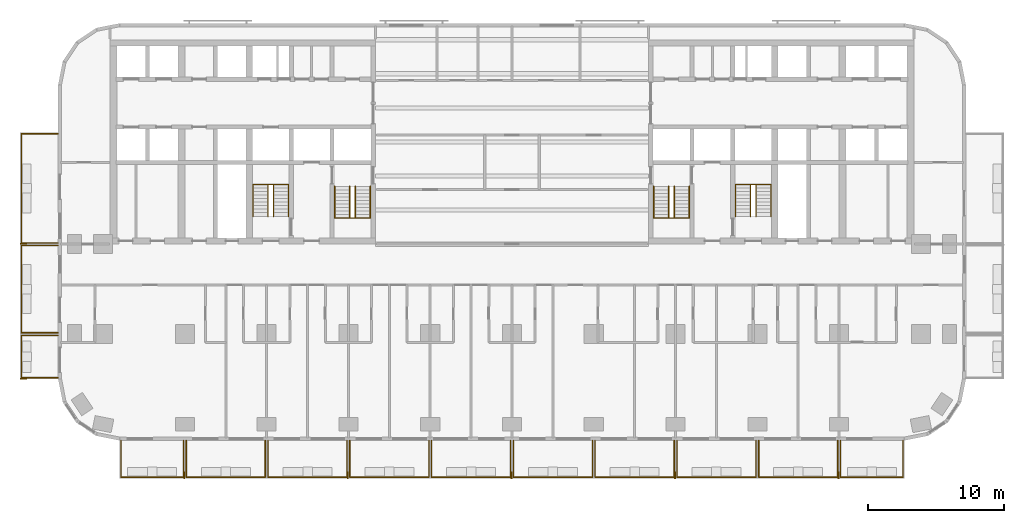
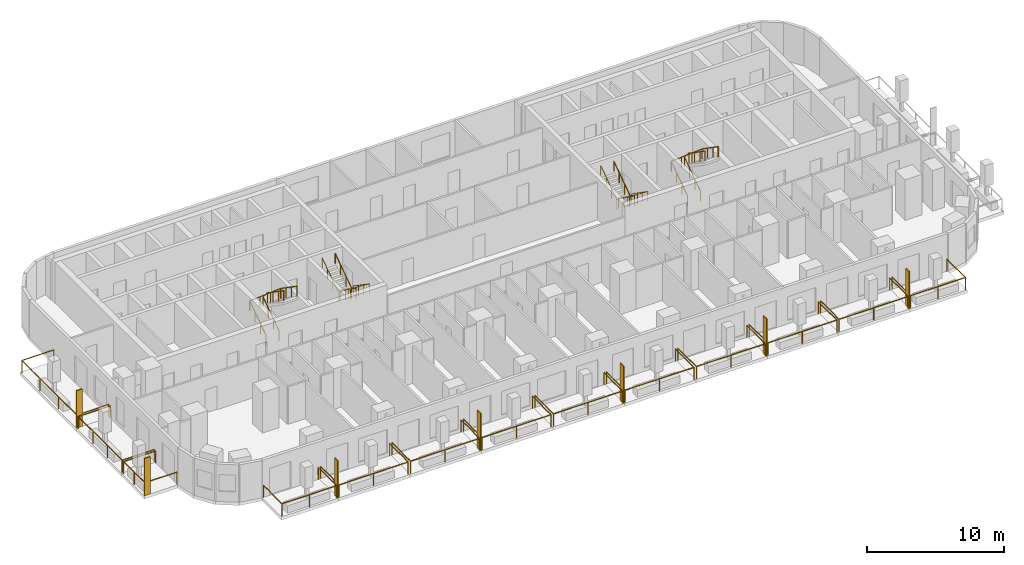
# One storey, part 12 of 14: 21 railings, 7 shading devices.
"""IFC4 building model written with IfcOpenShell, lengths in metres."""

import ifcopenshell
import ifcopenshell.guid

model = None  # the IFC model being written
_history = None  # IfcOwnerHistory: only IFC2X3 demands one
_inside = {}  # id of a spatial element -> (the spatial element, [elements in it])
_under = {}  # id of a project, library or spatial element -> (it, [spatial elements below it])
_declared = {}  # id of a project -> (the project, [libraries it declares])
_typed = {}  # id of a type object -> (the type object, [elements of that type])
_made_of = {}  # id of a material, layer set ... -> (it, [elements and type objects made of it])


def new_model(schema):
    """Start an empty IFC model of exactly this schema.

    Asked for "IFC4X3", IfcOpenShell would pick the latest addendum, in which some entities
    have other attributes; the version numbers below select the first issue.
    IFC2X3 requires an IfcOwnerHistory on every rooted entity: one is made here for all.
    """
    global model, _history
    if schema == "IFC4X3":
        model = ifcopenshell.file(schema_version=(4, 3, 0, 0))
    else:
        model = ifcopenshell.file(schema=schema)
    _inside.clear()
    _under.clear()
    _declared.clear()
    _typed.clear()
    _made_of.clear()
    _history = None
    if model.schema == "IFC2X3":
        org = make("IfcOrganization", Name="unknown")
        user = make(
            "IfcPersonAndOrganization",
            ThePerson=make("IfcPerson", FamilyName="unknown"),
            TheOrganization=org,
        )
        app = make(
            "IfcApplication",
            ApplicationDeveloper=org,
            Version="unknown",
            ApplicationFullName="unknown",
            ApplicationIdentifier="unknown",
        )
        _history = make(
            "IfcOwnerHistory",
            OwningUser=user,
            OwningApplication=app,
            ChangeAction="ADDED",
            CreationDate=0,
        )
    return model


def make(cls, **values):
    """One entity of the class cls with the attributes given. An attribute that is None is left unset."""
    return model.create_entity(
        cls, **{name: value for name, value in values.items() if value is not None}
    )


def rooted(cls, **values):
    """An entity with a GlobalId (a new one), such as an element, a storey or a relation."""
    return make(cls, GlobalId=ifcopenshell.guid.new(), OwnerHistory=_history, **values)


def si_unit(unit_type, name, prefix=None):
    """IfcSIUnit, for example si_unit("LENGTHUNIT", "METRE", prefix="MILLI")."""
    return make("IfcSIUnit", UnitType=unit_type, Prefix=prefix, Name=name)


def assignment(units):
    """IfcUnitAssignment: the units of a project."""
    return None if units is None else make("IfcUnitAssignment", Units=units)


def point(xyz):
    """IfcCartesianPoint."""
    return None if xyz is None else make("IfcCartesianPoint", Coordinates=xyz)


def direction(xyz):
    """IfcDirection."""
    return None if xyz is None else make("IfcDirection", DirectionRatios=xyz)


def frame(location, z_axis=None, x_axis=None):
    """IfcAxis2Placement3D, a coordinate frame: its origin and axes. An axis left out is left unset."""
    return make(
        "IfcAxis2Placement3D",
        Location=point(location),
        Axis=direction(z_axis),
        RefDirection=direction(x_axis),
    )


def frame_2d(location, x_axis=None):
    """IfcAxis2Placement2D, a coordinate frame in the plane: its origin and x axis."""
    return make(
        "IfcAxis2Placement2D", Location=point(location), RefDirection=direction(x_axis)
    )


def origin():
    """The frame at (0, 0, 0) with its axes left unset."""
    return frame((0.0, 0.0, 0.0))


def origin_2d():
    """The frame at (0, 0) in the plane with its x axis left unset."""
    return frame_2d((0.0, 0.0))


def place(relative_to, where):
    """IfcLocalPlacement: puts the frame where relative to a parent placement (None: the world)."""
    return make(
        "IfcLocalPlacement", PlacementRelTo=relative_to, RelativePlacement=where
    )


def context(
    kind, dimensions, precision=None, world=None, true_north=None, identifier=None
):
    """IfcGeometricRepresentationContext, for example the 3D "Model" context."""
    return make(
        "IfcGeometricRepresentationContext",
        ContextIdentifier=identifier,
        ContextType=kind,
        CoordinateSpaceDimension=dimensions,
        Precision=precision,
        WorldCoordinateSystem=world,
        TrueNorth=true_north,
    )


def subcontext(parent, identifier, kind, view, scale=None):
    """IfcGeometricRepresentationSubContext, for example "Body" below "Model"."""
    return make(
        "IfcGeometricRepresentationSubContext",
        ContextIdentifier=identifier,
        ContextType=kind,
        ParentContext=parent,
        TargetScale=scale,
        TargetView=view,
    )


def project(units=None, contexts=None):
    """IfcProject with its units and contexts."""
    return rooted(
        "IfcProject",
        Name="project",
        RepresentationContexts=contexts,
        UnitsInContext=assignment(units),
    )


def spatial(cls, under=None, at=None, **own):
    """A site, building, storey or space (cls), placed at a placement, below another one or the project."""
    s = rooted(cls, ObjectPlacement=at, **own)
    if under is not None:
        _under.setdefault(under.id(), (under, []))[1].append(s)
    return s


def profile(cls, at=None, kind="AREA", **sizes):
    """A parametric profile (cls). Its sizes go by their IFC names, for example OverallWidth=200.0."""
    return make(cls, ProfileType=kind, Position=at, **sizes)


def rectangle(**sizes):
    """IfcRectangleProfileDef."""
    return profile("IfcRectangleProfileDef", **sizes)


def circle(**sizes):
    """IfcCircleProfileDef."""
    return profile("IfcCircleProfileDef", **sizes)


def extrude(swept, where, along, depth):
    """IfcExtrudedAreaSolid: the profile swept, set in the frame where, extruded along a direction by depth."""
    return make(
        "IfcExtrudedAreaSolid",
        SweptArea=swept,
        Position=where,
        ExtrudedDirection=direction(along),
        Depth=depth,
    )


def shape(context_of_items, identifier, shape_type, items):
    """IfcShapeRepresentation: the items that make up one representation, for example the "Body"."""
    return make(
        "IfcShapeRepresentation",
        ContextOfItems=context_of_items,
        RepresentationIdentifier=identifier,
        RepresentationType=shape_type,
        Items=items,
    )


def material(Name=None, Category=None):
    """IfcMaterial."""
    return make("IfcMaterial", Name=Name, Category=Category)


def layer(
    of_material, thickness, ventilated=None, Name=None, Category=None, Priority=None
):
    """IfcMaterialLayer: one layer of a wall or slab, of a material (None: an air gap)."""
    return make(
        "IfcMaterialLayer",
        Material=of_material,
        LayerThickness=thickness,
        IsVentilated=ventilated,
        Name=Name,
        Category=Category,
        Priority=Priority,
    )


def layer_set(layers, Name=None):
    """IfcMaterialLayerSet."""
    return make("IfcMaterialLayerSet", MaterialLayers=layers, LayerSetName=Name)


def made_of(thing, what):
    """Note that an element or type object is made of a material, layer set ...; save() writes the relation."""
    if what is not None:
        _made_of.setdefault(what.id(), (what, []))[1].append(thing)
    return thing


def type_object(cls, material=None, **own):
    """A type object (cls), such as IfcWallType, which elements share."""
    return made_of(rooted(cls, **own), material)


def element(
    cls,
    number,
    at=None,
    inside=None,
    cuts=None,
    type_object=None,
    material=None,
    context=None,
    identifier="Body",
    shape_type=None,
    held_by="IfcProductDefinitionShape",
    body=None,
    shapes=None,
    **own,
):
    """One element of the class cls, such as IfcWall. Its Tag is "e" and its number.

    at: its placement. inside: the storey or other place that contains it. cuts: it is an
    opening in that element (IfcRelVoidsElement). A single representation is given by context,
    identifier, shape_type and body (its items); several are given by shapes. held_by: the class
    of the entity that holds the representations. save() writes the other relations.
    """
    e = rooted(cls, Tag="e%d" % number, ObjectPlacement=at, **own)
    if body is not None:
        shapes = [shape(context, identifier, shape_type, body)]
    if shapes is not None:
        e.Representation = make(held_by, Representations=shapes)
    if inside is not None:
        _inside.setdefault(inside.id(), (inside, []))[1].append(e)
    if cuts is not None:
        rooted(
            "IfcRelVoidsElement", RelatingBuildingElement=cuts, RelatedOpeningElement=e
        )
    if type_object is not None:
        _typed.setdefault(type_object.id(), (type_object, []))[1].append(e)
    return made_of(e, material)


def aggregate(whole, parts):
    """IfcRelAggregates: a whole, such as a stair, and the parts it consists of."""
    return rooted("IfcRelAggregates", RelatingObject=whole, RelatedObjects=parts)


def save(model, path):
    """Write the relations noted so far, then the file.

    IfcRelAggregates (storeys below a building ...), IfcRelContainedInSpatialStructure (elements
    in a storey), IfcRelDefinesByType, IfcRelAssociatesMaterial and IfcRelDeclares: one each for
    every whole, place, type object, material and project.
    """
    for whole, parts in _under.values():
        aggregate(whole, parts)
    for where, things in _inside.values():
        rooted(
            "IfcRelContainedInSpatialStructure",
            RelatedElements=things,
            RelatingStructure=where,
        )
    for kind, things in _typed.values():
        rooted("IfcRelDefinesByType", RelatedObjects=things, RelatingType=kind)
    for what, things in _made_of.values():
        rooted("IfcRelAssociatesMaterial", RelatedObjects=things, RelatingMaterial=what)
    for by, libraries in _declared.values():
        rooted("IfcRelDeclares", RelatingContext=by, RelatedDefinitions=libraries)
    model.write(path)


model = new_model("IFC4")

# Units and contexts
model_context = context("Model", 3, precision=1e-05, world=origin(), true_north=direction((0.0, 1.0)))
body_context = subcontext(model_context, "Body", "Model", "MODEL_VIEW")
ifc_project = project(units=[si_unit("LENGTHUNIT", "METRE"), si_unit("AREAUNIT", "SQUARE_METRE"), si_unit("VOLUMEUNIT", "CUBIC_METRE"), si_unit("PLANEANGLEUNIT", "RADIAN"), si_unit("MASSUNIT", "GRAM", prefix="KILO")], contexts=[model_context])

# Site, building, storey
site_placement = place(None, origin())
site = spatial("IfcSite", under=ifc_project, at=site_placement, CompositionType="ELEMENT")
building_placement = place(site_placement, origin())
building = spatial("IfcBuilding", under=site, at=building_placement, Name="Torana Hotel and Residences", CompositionType="ELEMENT")
storey_placement = place(building_placement, frame((0.0, 0.0, 34.800048828125)))
storey = spatial("IfcBuildingStorey", under=building, at=storey_placement, Name="L07", CompositionType="ELEMENT", Elevation=34.800048828125)

# Shading devices
ifc_material_1 = material(Name="Black powder coated aluminium", Category="aluminium")
ifc_layer = layer(ifc_material_1, 0.080078125)
ifc_layer_set = layer_set([ifc_layer], Name="FN1 VERTICAL FIN 500x80")
shading_device_type = type_object("IfcShadingDeviceType", Name="FN1 VERTICAL FIN 500x80", PredefinedType="USERDEFINED", material=ifc_layer_set)
for number, where, z_axis, x_axis, name in (
    (1, (-24.0400390625, -31.949951171875, 0.0), (0.0, 0.0, 1.0), (-1.0, 0.0, 0.0), "Fin 01"),
    (2, (-12.0400390625, -31.949951171875, 0.0), (0.0, 0.0, 1.0), (-1.0, 0.0, 0.0), "Fin 03"),
    (3, (-0.0400390625, -31.949951171875, 0.0), (0.0, 0.0, 1.0), (-1.0, 0.0, 0.0), "Fin 05"),
    (4, (11.9599609375, -31.949951171875, 0.0), (0.0, 0.0, 1.0), (-1.0, 0.0, 0.0), "Fin 07"),
    (5, (23.9599609375, -31.949951171875, 0.0), (0.0, 0.0, 1.0), (-1.0, 0.0, 0.0), "Fin 09"),
    (6, (-35.85009765625, -24.860107421875, 0.0), (0.0, 0.0, 1.0), (0.0, 1.0, 0.0), "Fin 11"),
    (7, (-35.85009765625, -14.9599609375, 0.0), (0.0, 0.0, 1.0), (0.0, 1.0, 0.0), "Fin 13"),
):
    element("IfcShadingDevice", number, at=place(storey_placement, frame(where, z_axis=z_axis, x_axis=x_axis)), inside=storey, type_object=shading_device_type, Name=name, ObjectType="FIN", PredefinedType="USERDEFINED", context=body_context, shape_type="SweptSolid", body=[
        extrude(rectangle(XDim=0.080078125, YDim=0.5, at=origin_2d()), origin(), (0.0, 0.0, 1.0), 3.320068359375),
    ])

# Railings
ifc_material_2 = material(Name="Laminated glass balustrade with black handrail", Category="glass")
railing_type_1 = type_object("IfcRailingType", Name="GR1 BALCONY GUARD 1100 GLASS", PredefinedType="GUARDRAIL", material=ifc_material_2)
railing_1_placement = place(storey_placement, frame((-24.10009765625, -29.39990234375, 0.0)))
element("IfcRailing", 8, at=railing_1_placement, inside=storey, type_object=railing_type_1, Name="Balcony guard 01", PredefinedType="GUARDRAIL", context=body_context, shape_type="SweptSolid", body=[
    extrude(circle(Radius=0.02392578125, at=origin_2d()), frame((0.0, 0.0, 1.076171875), z_axis=(0.0, -1.0, 0.0), x_axis=(1.0, 0.0, 0.0)), (0.0, 0.0, 1.0), 2.7001953125),
    extrude(circle(Radius=0.02392578125, at=origin_2d()), frame((0.0, -2.7001953125, 1.076171875), z_axis=(-1.0, 0.0, 0.0), x_axis=(0.0, -1.0, 0.0)), (0.0, 0.0, 1.0), 4.599853515625),
    extrude(circle(Radius=0.02392578125, at=origin_2d()), frame((-4.599853515625, -2.7001953125, 1.076171875), z_axis=(0.0, 1.0, 0.0), x_axis=(-1.0, 0.0, 0.0)), (0.0, 0.0, 1.0), 2.7001953125),
    extrude(circle(Radius=0.02099609375, at=origin_2d()), origin(), (0.0, 0.0, 1.0), 1.052001953125),
    extrude(circle(Radius=0.02099609375, at=origin_2d()), frame((0.0, -2.7001953125, 0.0)), (0.0, 0.0, 1.0), 1.052001953125),
    extrude(circle(Radius=0.02099609375, at=origin_2d()), frame((-2.2998046875, -2.7001953125, 0.0)), (0.0, 0.0, 1.0), 1.052001953125),
    extrude(circle(Radius=0.02099609375, at=origin_2d()), frame((-4.599853515625, -2.7001953125, 0.0)), (0.0, 0.0, 1.0), 1.052001953125),
    extrude(circle(Radius=0.02099609375, at=origin_2d()), frame((-4.599853515625, 0.0, 0.0)), (0.0, 0.0, 1.0), 1.052001953125),
])
for number, where, name in (
    (9, (-18.10009765625, -29.39990234375, 0.0), "Balcony guard 02"),
    (10, (-12.10009765625, -29.39990234375, 0.0), "Balcony guard 03"),
    (11, (-6.10009765625, -29.39990234375, 0.0), "Balcony guard 04"),
    (12, (-0.10009765625, -29.39990234375, 0.0), "Balcony guard 05"),
    (13, (5.89990234375, -29.39990234375, 0.0), "Balcony guard 06"),
    (14, (11.89990234375, -29.39990234375, 0.0), "Balcony guard 07"),
    (15, (17.89990234375, -29.39990234375, 0.0), "Balcony guard 08"),
    (16, (23.89990234375, -29.39990234375, 0.0), "Balcony guard 09"),
):
    element("IfcRailing", number, at=place(storey_placement, frame(where)), inside=storey, type_object=railing_type_1, Name=name, PredefinedType="GUARDRAIL", context=body_context, shape_type="SweptSolid", body=[
        extrude(circle(Radius=0.02392578125, at=origin_2d()), frame((0.0, 0.0, 1.076171875), z_axis=(0.0, -1.0, 0.0), x_axis=(1.0, 0.0, 0.0)), (0.0, 0.0, 1.0), 2.7001953125),
        extrude(circle(Radius=0.02392578125, at=origin_2d()), frame((0.0, -2.7001953125, 1.076171875), z_axis=(-1.0, 0.0, 0.0), x_axis=(0.0, -1.0, 0.0)), (0.0, 0.0, 1.0), 5.7998046875),
        extrude(circle(Radius=0.02392578125, at=origin_2d()), frame((-5.7998046875, -2.7001953125, 1.076171875), z_axis=(0.0, 1.0, 0.0), x_axis=(-1.0, 0.0, 0.0)), (0.0, 0.0, 1.0), 2.7001953125),
        extrude(circle(Radius=0.02099609375, at=origin_2d()), origin(), (0.0, 0.0, 1.0), 1.052001953125),
        extrude(circle(Radius=0.02099609375, at=origin_2d()), frame((0.0, -2.7001953125, 0.0)), (0.0, 0.0, 1.0), 1.052001953125),
        extrude(circle(Radius=0.02099609375, at=origin_2d()), frame((-2.89990234375, -2.7001953125, 0.0)), (0.0, 0.0, 1.0), 1.052001953125),
        extrude(circle(Radius=0.02099609375, at=origin_2d()), frame((-5.7998046875, -2.7001953125, 0.0)), (0.0, 0.0, 1.0), 1.052001953125),
        extrude(circle(Radius=0.02099609375, at=origin_2d()), frame((-5.7998046875, 0.0, 0.0)), (0.0, 0.0, 1.0), 1.052001953125),
    ])
railing_2_placement = place(storey_placement, frame((28.699951171875, -29.39990234375, 0.0)))
element("IfcRailing", 17, at=railing_2_placement, inside=storey, type_object=railing_type_1, Name="Balcony guard 10", PredefinedType="GUARDRAIL", context=body_context, shape_type="SweptSolid", body=[
    extrude(circle(Radius=0.02392578125, at=origin_2d()), frame((0.0, 0.0, 1.076171875), z_axis=(0.0, -1.0, 0.0), x_axis=(1.0, 0.0, 0.0)), (0.0, 0.0, 1.0), 2.7001953125),
    extrude(circle(Radius=0.02392578125, at=origin_2d()), frame((0.0, -2.7001953125, 1.076171875), z_axis=(-1.0, 0.0, 0.0), x_axis=(0.0, -1.0, 0.0)), (0.0, 0.0, 1.0), 4.599853515625),
    extrude(circle(Radius=0.02392578125, at=origin_2d()), frame((-4.599853515625, -2.7001953125, 1.076171875), z_axis=(0.0, 1.0, 0.0), x_axis=(-1.0, 0.0, 0.0)), (0.0, 0.0, 1.0), 2.7001953125),
    extrude(circle(Radius=0.02099609375, at=origin_2d()), origin(), (0.0, 0.0, 1.0), 1.052001953125),
    extrude(circle(Radius=0.02099609375, at=origin_2d()), frame((0.0, -2.7001953125, 0.0)), (0.0, 0.0, 1.0), 1.052001953125),
    extrude(circle(Radius=0.02099609375, at=origin_2d()), frame((-2.2998046875, -2.7001953125, 0.0)), (0.0, 0.0, 1.0), 1.052001953125),
    extrude(circle(Radius=0.02099609375, at=origin_2d()), frame((-4.599853515625, -2.7001953125, 0.0)), (0.0, 0.0, 1.0), 1.052001953125),
    extrude(circle(Radius=0.02099609375, at=origin_2d()), frame((-4.599853515625, 0.0, 0.0)), (0.0, 0.0, 1.0), 1.052001953125),
])
railing_3_placement = place(storey_placement, frame((-33.300048828125, -24.800048828125, 0.0)))
element("IfcRailing", 18, at=railing_3_placement, inside=storey, type_object=railing_type_1, Name="Balcony guard 11", PredefinedType="GUARDRAIL", context=body_context, shape_type="SweptSolid", body=[
    extrude(circle(Radius=0.02392578125, at=origin_2d()), frame((0.0, 0.0, 1.076171875), z_axis=(-1.0, 0.0, 0.0), x_axis=(0.0, -1.0, 0.0)), (0.0, 0.0, 1.0), 2.699951171875),
    extrude(circle(Radius=0.02392578125, at=origin_2d()), frame((-2.699951171875, 0.0, 1.076171875), z_axis=(0.0, 1.0, 0.0), x_axis=(-1.0, 0.0, 0.0)), (0.0, 0.0, 1.0), 3.10009765625),
    extrude(circle(Radius=0.02392578125, at=origin_2d()), frame((-2.699951171875, 3.10009765625, 1.076171875), z_axis=(1.0, 0.0, 0.0), x_axis=(0.0, 1.0, 0.0)), (0.0, 0.0, 1.0), 2.699951171875),
    extrude(circle(Radius=0.02099609375, at=origin_2d()), origin(), (0.0, 0.0, 1.0), 1.052001953125),
    extrude(circle(Radius=0.02099609375, at=origin_2d()), frame((-2.699951171875, 0.0, 0.0)), (0.0, 0.0, 1.0), 1.052001953125),
    extrude(circle(Radius=0.02099609375, at=origin_2d()), frame((-2.699951171875, 1.550048828125, 0.0)), (0.0, 0.0, 1.0), 1.052001953125),
    extrude(circle(Radius=0.02099609375, at=origin_2d()), frame((-2.699951171875, 3.10009765625, 0.0)), (0.0, 0.0, 1.0), 1.052001953125),
    extrude(circle(Radius=0.02099609375, at=origin_2d()), frame((0.0, 3.10009765625, 0.0)), (0.0, 0.0, 1.0), 1.052001953125),
])
railing_4_placement = place(storey_placement, frame((-33.300048828125, -21.5, 0.0)))
element("IfcRailing", 19, at=railing_4_placement, inside=storey, type_object=railing_type_1, Name="Balcony guard 12", PredefinedType="GUARDRAIL", context=body_context, shape_type="SweptSolid", body=[
    extrude(circle(Radius=0.02392578125, at=origin_2d()), frame((0.0, 0.0, 1.076171875), z_axis=(-1.0, 0.0, 0.0), x_axis=(0.0, -1.0, 0.0)), (0.0, 0.0, 1.0), 2.699951171875),
    extrude(circle(Radius=0.02392578125, at=origin_2d()), frame((-2.699951171875, 0.0, 1.076171875), z_axis=(0.0, 1.0, 0.0), x_axis=(-1.0, 0.0, 0.0)), (0.0, 0.0, 1.0), 6.39990234375),
    extrude(circle(Radius=0.02392578125, at=origin_2d()), frame((-2.699951171875, 6.39990234375, 1.076171875), z_axis=(1.0, 0.0, 0.0), x_axis=(0.0, 1.0, 0.0)), (0.0, 0.0, 1.0), 2.699951171875),
    extrude(circle(Radius=0.02099609375, at=origin_2d()), origin(), (0.0, 0.0, 1.0), 1.052001953125),
    extrude(circle(Radius=0.02099609375, at=origin_2d()), frame((-2.699951171875, 0.0, 0.0)), (0.0, 0.0, 1.0), 1.052001953125),
    extrude(circle(Radius=0.02099609375, at=origin_2d()), frame((-2.699951171875, 2.13330078125, 0.0)), (0.0, 0.0, 1.0), 1.052001953125),
    extrude(circle(Radius=0.02099609375, at=origin_2d()), frame((-2.699951171875, 4.2666015625, 0.0)), (0.0, 0.0, 1.0), 1.052001953125),
    extrude(circle(Radius=0.02099609375, at=origin_2d()), frame((-2.699951171875, 6.39990234375, 0.0)), (0.0, 0.0, 1.0), 1.052001953125),
    extrude(circle(Radius=0.02099609375, at=origin_2d()), frame((0.0, 6.39990234375, 0.0)), (0.0, 0.0, 1.0), 1.052001953125),
])
railing_5_placement = place(storey_placement, frame((-33.300048828125, -14.89990234375, 0.0)))
element("IfcRailing", 20, at=railing_5_placement, inside=storey, type_object=railing_type_1, Name="Balcony guard 13", PredefinedType="GUARDRAIL", context=body_context, shape_type="SweptSolid", body=[
    extrude(circle(Radius=0.02392578125, at=origin_2d()), frame((0.0, 0.0, 1.076171875), z_axis=(-1.0, 0.0, 0.0), x_axis=(0.0, -1.0, 0.0)), (0.0, 0.0, 1.0), 2.699951171875),
    extrude(circle(Radius=0.02392578125, at=origin_2d()), frame((-2.699951171875, 0.0, 1.076171875), z_axis=(0.0, 1.0, 0.0), x_axis=(-1.0, 0.0, 0.0)), (0.0, 0.0, 1.0), 8.0),
    extrude(circle(Radius=0.02392578125, at=origin_2d()), frame((-2.699951171875, 8.0, 1.076171875), z_axis=(1.0, 0.0, 0.0), x_axis=(0.0, 1.0, 0.0)), (0.0, 0.0, 1.0), 2.699951171875),
    extrude(circle(Radius=0.02099609375, at=origin_2d()), origin(), (0.0, 0.0, 1.0), 1.052001953125),
    extrude(circle(Radius=0.02099609375, at=origin_2d()), frame((-2.699951171875, 0.0, 0.0)), (0.0, 0.0, 1.0), 1.052001953125),
    extrude(circle(Radius=0.02099609375, at=origin_2d()), frame((-2.699951171875, 2.666748046875, 0.0)), (0.0, 0.0, 1.0), 1.052001953125),
    extrude(circle(Radius=0.02099609375, at=origin_2d()), frame((-2.699951171875, 5.333251953125, 0.0)), (0.0, 0.0, 1.0), 1.052001953125),
    extrude(circle(Radius=0.02099609375, at=origin_2d()), frame((-2.699951171875, 8.0, 0.0)), (0.0, 0.0, 1.0), 1.052001953125),
    extrude(circle(Radius=0.02099609375, at=origin_2d()), frame((0.0, 8.0, 0.0)), (0.0, 0.0, 1.0), 1.052001953125),
])
ifc_material_3 = material(Name="Stainless steel 316", Category="steel")
railing_type_2 = type_object("IfcRailingType", Name="STAIR HANDRAIL HR1 900", PredefinedType="HANDRAIL", material=ifc_material_3)
railing_6_placement = place(storey_placement, frame((-10.39990234375, -10.75, 0.179931640625)))
element("IfcRailing", 21, at=railing_6_placement, inside=storey, type_object=railing_type_2, Name="Handrail ST1 L07 O1", PredefinedType="HANDRAIL", context=body_context, shape_type="SweptSolid", body=[
    extrude(circle(Radius=0.02392578125, at=origin_2d()), frame((0.0, 0.0, 0.8759765625), z_axis=(0.0, -0.822182927502, 0.569223360136), x_axis=(1.0, 0.0, 0.0)), (0.0, 0.0, 1.0), 2.84619140625),
    extrude(circle(Radius=0.02392578125, at=origin_2d()), frame((0.0, -2.340087890625, 2.49609375), z_axis=(-0.997614115953, 0.0, 0.069036770278), x_axis=(0.0, -1.0, 0.0)), (0.0, 0.0, 1.0), 2.606201171875),
    extrude(circle(Radius=0.02392578125, at=origin_2d()), frame((-2.60009765625, -2.340087890625, 2.67578125), z_axis=(0.0, 0.822223072051, 0.569165371211), x_axis=(-1.0, 0.0, 0.0)), (0.0, 0.0, 1.0), 2.845947265625),
    extrude(circle(Radius=0.02099609375, at=origin_2d()), origin(), (0.0, 0.0, 1.0), 0.851806640625),
    extrude(circle(Radius=0.02099609375, at=origin_2d()), frame((0.0, -0.780029296875, 0.5400390625)), (0.0, 0.0, 1.0), 0.851806640625),
    extrude(circle(Radius=0.02099609375, at=origin_2d()), frame((0.0, -1.56005859375, 1.080078125)), (0.0, 0.0, 1.0), 0.851806640625),
    extrude(circle(Radius=0.02099609375, at=origin_2d()), frame((0.0, -2.340087890625, 1.6201171875)), (0.0, 0.0, 1.0), 0.851806640625),
    extrude(circle(Radius=0.02099609375, at=origin_2d()), frame((-0.86669921875, -2.340087890625, 1.68017578125)), (0.0, 0.0, 1.0), 0.851806640625),
    extrude(circle(Radius=0.02099609375, at=origin_2d()), frame((-1.7333984375, -2.340087890625, 1.739990234375)), (0.0, 0.0, 1.0), 0.851806640625),
    extrude(circle(Radius=0.02099609375, at=origin_2d()), frame((-2.60009765625, -2.340087890625, 1.800048828125)), (0.0, 0.0, 1.0), 0.851806640625),
    extrude(circle(Radius=0.02099609375, at=origin_2d()), frame((-2.60009765625, -1.56005859375, 2.340087890625)), (0.0, 0.0, 1.0), 0.851806640625),
    extrude(circle(Radius=0.02099609375, at=origin_2d()), frame((-2.60009765625, -0.780029296875, 2.8798828125)), (0.0, 0.0, 1.0), 0.851806640625),
    extrude(circle(Radius=0.02099609375, at=origin_2d()), frame((-2.60009765625, 0.0, 3.419921875)), (0.0, 0.0, 1.0), 0.851806640625),
])
railing_7_placement = place(storey_placement, frame((-11.5, -10.75, 0.179931640625)))
element("IfcRailing", 22, at=railing_7_placement, inside=storey, type_object=railing_type_2, Name="Handrail ST1 L07 I1", PredefinedType="HANDRAIL", context=body_context, shape_type="SweptSolid", body=[
    extrude(circle(Radius=0.02392578125, at=origin_2d()), frame((0.0, 0.0, 0.8759765625), z_axis=(0.0, -0.822182927502, 0.569223360136), x_axis=(1.0, 0.0, 0.0)), (0.0, 0.0, 1.0), 2.84619140625),
    extrude(circle(Radius=0.02392578125, at=origin_2d()), frame((0.0, -2.340087890625, 2.49609375), z_axis=(-0.911942338396, 0.0, 0.410318378143), x_axis=(0.0, -1.0, 0.0)), (0.0, 0.0, 1.0), 0.4384765625),
    extrude(circle(Radius=0.02392578125, at=origin_2d()), frame((-0.39990234375, -2.340087890625, 2.67578125), z_axis=(0.0, 0.822223072051, 0.569165371211), x_axis=(-1.0, 0.0, 0.0)), (0.0, 0.0, 1.0), 2.845947265625),
    extrude(circle(Radius=0.02099609375, at=origin_2d()), origin(), (0.0, 0.0, 1.0), 0.851806640625),
    extrude(circle(Radius=0.02099609375, at=origin_2d()), frame((0.0, -0.780029296875, 0.5400390625)), (0.0, 0.0, 1.0), 0.851806640625),
    extrude(circle(Radius=0.02099609375, at=origin_2d()), frame((0.0, -1.56005859375, 1.080078125)), (0.0, 0.0, 1.0), 0.851806640625),
    extrude(circle(Radius=0.02099609375, at=origin_2d()), frame((0.0, -2.340087890625, 1.6201171875)), (0.0, 0.0, 1.0), 0.851806640625),
    extrude(circle(Radius=0.02099609375, at=origin_2d()), frame((-0.39990234375, -2.340087890625, 1.800048828125)), (0.0, 0.0, 1.0), 0.851806640625),
    extrude(circle(Radius=0.02099609375, at=origin_2d()), frame((-0.39990234375, -1.56005859375, 2.340087890625)), (0.0, 0.0, 1.0), 0.851806640625),
    extrude(circle(Radius=0.02099609375, at=origin_2d()), frame((-0.39990234375, -0.780029296875, 2.8798828125)), (0.0, 0.0, 1.0), 0.851806640625),
    extrude(circle(Radius=0.02099609375, at=origin_2d()), frame((-0.39990234375, 0.0, 3.419921875)), (0.0, 0.0, 1.0), 0.851806640625),
])
railing_8_placement = place(storey_placement, frame((-19.0, -12.949951171875, 0.179931640625)))
element("IfcRailing", 23, at=railing_8_placement, inside=storey, type_object=railing_type_2, Name="Handrail ST2 L07 O1", PredefinedType="HANDRAIL", context=body_context, shape_type="SweptSolid", body=[
    extrude(circle(Radius=0.02392578125, at=origin_2d()), frame((0.0, 0.0, 0.8759765625), z_axis=(0.0, 0.822155131156, 0.569263506923), x_axis=(-1.0, 0.0, 0.0)), (0.0, 0.0, 1.0), 2.845947265625),
    extrude(circle(Radius=0.02392578125, at=origin_2d()), frame((0.0, 2.33984375, 2.49609375), z_axis=(0.997614115953, 0.0, 0.069036770278), x_axis=(0.0, 1.0, 0.0)), (0.0, 0.0, 1.0), 2.606201171875),
    extrude(circle(Radius=0.02392578125, at=origin_2d()), frame((2.60009765625, 2.33984375, 2.67578125), z_axis=(0.0, -0.822195280011, 0.569205517829), x_axis=(1.0, 0.0, 0.0)), (0.0, 0.0, 1.0), 2.845947265625),
    extrude(circle(Radius=0.02099609375, at=origin_2d()), origin(), (0.0, 0.0, 1.0), 0.851806640625),
    extrude(circle(Radius=0.02099609375, at=origin_2d()), frame((0.0, 0.780029296875, 0.5400390625)), (0.0, 0.0, 1.0), 0.851806640625),
    extrude(circle(Radius=0.02099609375, at=origin_2d()), frame((0.0, 1.559814453125, 1.080078125)), (0.0, 0.0, 1.0), 0.851806640625),
    extrude(circle(Radius=0.02099609375, at=origin_2d()), frame((0.0, 2.33984375, 1.6201171875)), (0.0, 0.0, 1.0), 0.851806640625),
    extrude(circle(Radius=0.02099609375, at=origin_2d()), frame((0.86669921875, 2.33984375, 1.68017578125)), (0.0, 0.0, 1.0), 0.851806640625),
    extrude(circle(Radius=0.02099609375, at=origin_2d()), frame((1.7333984375, 2.33984375, 1.739990234375)), (0.0, 0.0, 1.0), 0.851806640625),
    extrude(circle(Radius=0.02099609375, at=origin_2d()), frame((2.60009765625, 2.33984375, 1.800048828125)), (0.0, 0.0, 1.0), 0.851806640625),
    extrude(circle(Radius=0.02099609375, at=origin_2d()), frame((2.60009765625, 1.559814453125, 2.340087890625)), (0.0, 0.0, 1.0), 0.851806640625),
    extrude(circle(Radius=0.02099609375, at=origin_2d()), frame((2.60009765625, 0.780029296875, 2.8798828125)), (0.0, 0.0, 1.0), 0.851806640625),
    extrude(circle(Radius=0.02099609375, at=origin_2d()), frame((2.60009765625, 0.0, 3.419921875)), (0.0, 0.0, 1.0), 0.851806640625),
])
railing_9_placement = place(storey_placement, frame((-17.89990234375, -12.949951171875, 0.179931640625)))
element("IfcRailing", 24, at=railing_9_placement, inside=storey, type_object=railing_type_2, Name="Handrail ST2 L07 I1", PredefinedType="HANDRAIL", context=body_context, shape_type="SweptSolid", body=[
    extrude(circle(Radius=0.02392578125, at=origin_2d()), frame((0.0, 0.0, 0.8759765625), z_axis=(0.0, 0.822155131156, 0.569263506923), x_axis=(-1.0, 0.0, 0.0)), (0.0, 0.0, 1.0), 2.845947265625),
    extrude(circle(Radius=0.02392578125, at=origin_2d()), frame((0.0, 2.33984375, 2.49609375), z_axis=(0.911942338396, 0.0, 0.410318378143), x_axis=(0.0, 1.0, 0.0)), (0.0, 0.0, 1.0), 0.4384765625),
    extrude(circle(Radius=0.02392578125, at=origin_2d()), frame((0.39990234375, 2.33984375, 2.67578125), z_axis=(0.0, -0.822195280011, 0.569205517829), x_axis=(1.0, 0.0, 0.0)), (0.0, 0.0, 1.0), 2.845947265625),
    extrude(circle(Radius=0.02099609375, at=origin_2d()), origin(), (0.0, 0.0, 1.0), 0.851806640625),
    extrude(circle(Radius=0.02099609375, at=origin_2d()), frame((0.0, 0.780029296875, 0.5400390625)), (0.0, 0.0, 1.0), 0.851806640625),
    extrude(circle(Radius=0.02099609375, at=origin_2d()), frame((0.0, 1.559814453125, 1.080078125)), (0.0, 0.0, 1.0), 0.851806640625),
    extrude(circle(Radius=0.02099609375, at=origin_2d()), frame((0.0, 2.33984375, 1.6201171875)), (0.0, 0.0, 1.0), 0.851806640625),
    extrude(circle(Radius=0.02099609375, at=origin_2d()), frame((0.39990234375, 2.33984375, 1.800048828125)), (0.0, 0.0, 1.0), 0.851806640625),
    extrude(circle(Radius=0.02099609375, at=origin_2d()), frame((0.39990234375, 1.559814453125, 2.340087890625)), (0.0, 0.0, 1.0), 0.851806640625),
    extrude(circle(Radius=0.02099609375, at=origin_2d()), frame((0.39990234375, 0.780029296875, 2.8798828125)), (0.0, 0.0, 1.0), 0.851806640625),
    extrude(circle(Radius=0.02099609375, at=origin_2d()), frame((0.39990234375, 0.0, 3.419921875)), (0.0, 0.0, 1.0), 0.851806640625),
])
railing_10_placement = place(storey_placement, frame((13.0, -10.75, 0.179931640625)))
element("IfcRailing", 25, at=railing_10_placement, inside=storey, type_object=railing_type_2, Name="Handrail ST3 L07 O1", PredefinedType="HANDRAIL", context=body_context, shape_type="SweptSolid", body=[
    extrude(circle(Radius=0.02392578125, at=origin_2d()), frame((0.0, 0.0, 0.8759765625), z_axis=(0.0, -0.822182927502, 0.569223360136), x_axis=(1.0, 0.0, 0.0)), (0.0, 0.0, 1.0), 2.84619140625),
    extrude(circle(Radius=0.02392578125, at=origin_2d()), frame((0.0, -2.340087890625, 2.49609375), z_axis=(-0.997614115953, 0.0, 0.069036770278), x_axis=(0.0, -1.0, 0.0)), (0.0, 0.0, 1.0), 2.606201171875),
    extrude(circle(Radius=0.02392578125, at=origin_2d()), frame((-2.60009765625, -2.340087890625, 2.67578125), z_axis=(0.0, 0.822223072051, 0.569165371211), x_axis=(-1.0, 0.0, 0.0)), (0.0, 0.0, 1.0), 2.845947265625),
    extrude(circle(Radius=0.02099609375, at=origin_2d()), origin(), (0.0, 0.0, 1.0), 0.851806640625),
    extrude(circle(Radius=0.02099609375, at=origin_2d()), frame((0.0, -0.780029296875, 0.5400390625)), (0.0, 0.0, 1.0), 0.851806640625),
    extrude(circle(Radius=0.02099609375, at=origin_2d()), frame((0.0, -1.56005859375, 1.080078125)), (0.0, 0.0, 1.0), 0.851806640625),
    extrude(circle(Radius=0.02099609375, at=origin_2d()), frame((0.0, -2.340087890625, 1.6201171875)), (0.0, 0.0, 1.0), 0.851806640625),
    extrude(circle(Radius=0.02099609375, at=origin_2d()), frame((-0.86669921875, -2.340087890625, 1.68017578125)), (0.0, 0.0, 1.0), 0.851806640625),
    extrude(circle(Radius=0.02099609375, at=origin_2d()), frame((-1.7333984375, -2.340087890625, 1.739990234375)), (0.0, 0.0, 1.0), 0.851806640625),
    extrude(circle(Radius=0.02099609375, at=origin_2d()), frame((-2.60009765625, -2.340087890625, 1.800048828125)), (0.0, 0.0, 1.0), 0.851806640625),
    extrude(circle(Radius=0.02099609375, at=origin_2d()), frame((-2.60009765625, -1.56005859375, 2.340087890625)), (0.0, 0.0, 1.0), 0.851806640625),
    extrude(circle(Radius=0.02099609375, at=origin_2d()), frame((-2.60009765625, -0.780029296875, 2.8798828125)), (0.0, 0.0, 1.0), 0.851806640625),
    extrude(circle(Radius=0.02099609375, at=origin_2d()), frame((-2.60009765625, 0.0, 3.419921875)), (0.0, 0.0, 1.0), 0.851806640625),
])
railing_11_placement = place(storey_placement, frame((11.89990234375, -10.75, 0.179931640625)))
element("IfcRailing", 26, at=railing_11_placement, inside=storey, type_object=railing_type_2, Name="Handrail ST3 L07 I1", PredefinedType="HANDRAIL", context=body_context, shape_type="SweptSolid", body=[
    extrude(circle(Radius=0.02392578125, at=origin_2d()), frame((0.0, 0.0, 0.8759765625), z_axis=(0.0, -0.822182927502, 0.569223360136), x_axis=(1.0, 0.0, 0.0)), (0.0, 0.0, 1.0), 2.84619140625),
    extrude(circle(Radius=0.02392578125, at=origin_2d()), frame((0.0, -2.340087890625, 2.49609375), z_axis=(-0.911942338396, 0.0, 0.410318378143), x_axis=(0.0, -1.0, 0.0)), (0.0, 0.0, 1.0), 0.4384765625),
    extrude(circle(Radius=0.02392578125, at=origin_2d()), frame((-0.39990234375, -2.340087890625, 2.67578125), z_axis=(0.0, 0.822223072051, 0.569165371211), x_axis=(-1.0, 0.0, 0.0)), (0.0, 0.0, 1.0), 2.845947265625),
    extrude(circle(Radius=0.02099609375, at=origin_2d()), origin(), (0.0, 0.0, 1.0), 0.851806640625),
    extrude(circle(Radius=0.02099609375, at=origin_2d()), frame((0.0, -0.780029296875, 0.5400390625)), (0.0, 0.0, 1.0), 0.851806640625),
    extrude(circle(Radius=0.02099609375, at=origin_2d()), frame((0.0, -1.56005859375, 1.080078125)), (0.0, 0.0, 1.0), 0.851806640625),
    extrude(circle(Radius=0.02099609375, at=origin_2d()), frame((0.0, -2.340087890625, 1.6201171875)), (0.0, 0.0, 1.0), 0.851806640625),
    extrude(circle(Radius=0.02099609375, at=origin_2d()), frame((-0.39990234375, -2.340087890625, 1.800048828125)), (0.0, 0.0, 1.0), 0.851806640625),
    extrude(circle(Radius=0.02099609375, at=origin_2d()), frame((-0.39990234375, -1.56005859375, 2.340087890625)), (0.0, 0.0, 1.0), 0.851806640625),
    extrude(circle(Radius=0.02099609375, at=origin_2d()), frame((-0.39990234375, -0.780029296875, 2.8798828125)), (0.0, 0.0, 1.0), 0.851806640625),
    extrude(circle(Radius=0.02099609375, at=origin_2d()), frame((-0.39990234375, 0.0, 3.419921875)), (0.0, 0.0, 1.0), 0.851806640625),
])
railing_12_placement = place(storey_placement, frame((16.39990234375, -12.949951171875, 0.179931640625)))
element("IfcRailing", 27, at=railing_12_placement, inside=storey, type_object=railing_type_2, Name="Handrail ST4 L07 O1", PredefinedType="HANDRAIL", context=body_context, shape_type="SweptSolid", body=[
    extrude(circle(Radius=0.02392578125, at=origin_2d()), frame((0.0, 0.0, 0.8759765625), z_axis=(0.0, 0.822155131156, 0.569263506923), x_axis=(-1.0, 0.0, 0.0)), (0.0, 0.0, 1.0), 2.845947265625),
    extrude(circle(Radius=0.02392578125, at=origin_2d()), frame((0.0, 2.33984375, 2.49609375), z_axis=(0.997614115953, 0.0, 0.069036770278), x_axis=(0.0, 1.0, 0.0)), (0.0, 0.0, 1.0), 2.606201171875),
    extrude(circle(Radius=0.02392578125, at=origin_2d()), frame((2.60009765625, 2.33984375, 2.67578125), z_axis=(0.0, -0.822195280011, 0.569205517829), x_axis=(1.0, 0.0, 0.0)), (0.0, 0.0, 1.0), 2.845947265625),
    extrude(circle(Radius=0.02099609375, at=origin_2d()), origin(), (0.0, 0.0, 1.0), 0.851806640625),
    extrude(circle(Radius=0.02099609375, at=origin_2d()), frame((0.0, 0.780029296875, 0.5400390625)), (0.0, 0.0, 1.0), 0.851806640625),
    extrude(circle(Radius=0.02099609375, at=origin_2d()), frame((0.0, 1.559814453125, 1.080078125)), (0.0, 0.0, 1.0), 0.851806640625),
    extrude(circle(Radius=0.02099609375, at=origin_2d()), frame((0.0, 2.33984375, 1.6201171875)), (0.0, 0.0, 1.0), 0.851806640625),
    extrude(circle(Radius=0.02099609375, at=origin_2d()), frame((0.86669921875, 2.33984375, 1.68017578125)), (0.0, 0.0, 1.0), 0.851806640625),
    extrude(circle(Radius=0.02099609375, at=origin_2d()), frame((1.7333984375, 2.33984375, 1.739990234375)), (0.0, 0.0, 1.0), 0.851806640625),
    extrude(circle(Radius=0.02099609375, at=origin_2d()), frame((2.60009765625, 2.33984375, 1.800048828125)), (0.0, 0.0, 1.0), 0.851806640625),
    extrude(circle(Radius=0.02099609375, at=origin_2d()), frame((2.60009765625, 1.559814453125, 2.340087890625)), (0.0, 0.0, 1.0), 0.851806640625),
    extrude(circle(Radius=0.02099609375, at=origin_2d()), frame((2.60009765625, 0.780029296875, 2.8798828125)), (0.0, 0.0, 1.0), 0.851806640625),
    extrude(circle(Radius=0.02099609375, at=origin_2d()), frame((2.60009765625, 0.0, 3.419921875)), (0.0, 0.0, 1.0), 0.851806640625),
])
railing_13_placement = place(storey_placement, frame((17.5, -12.949951171875, 0.179931640625)))
element("IfcRailing", 28, at=railing_13_placement, inside=storey, type_object=railing_type_2, Name="Handrail ST4 L07 I1", PredefinedType="HANDRAIL", context=body_context, shape_type="SweptSolid", body=[
    extrude(circle(Radius=0.02392578125, at=origin_2d()), frame((0.0, 0.0, 0.8759765625), z_axis=(0.0, 0.822155131156, 0.569263506923), x_axis=(-1.0, 0.0, 0.0)), (0.0, 0.0, 1.0), 2.845947265625),
    extrude(circle(Radius=0.02392578125, at=origin_2d()), frame((0.0, 2.33984375, 2.49609375), z_axis=(0.911942338396, 0.0, 0.410318378143), x_axis=(0.0, 1.0, 0.0)), (0.0, 0.0, 1.0), 0.4384765625),
    extrude(circle(Radius=0.02392578125, at=origin_2d()), frame((0.39990234375, 2.33984375, 2.67578125), z_axis=(0.0, -0.822195280011, 0.569205517829), x_axis=(1.0, 0.0, 0.0)), (0.0, 0.0, 1.0), 2.845947265625),
    extrude(circle(Radius=0.02099609375, at=origin_2d()), origin(), (0.0, 0.0, 1.0), 0.851806640625),
    extrude(circle(Radius=0.02099609375, at=origin_2d()), frame((0.0, 0.780029296875, 0.5400390625)), (0.0, 0.0, 1.0), 0.851806640625),
    extrude(circle(Radius=0.02099609375, at=origin_2d()), frame((0.0, 1.559814453125, 1.080078125)), (0.0, 0.0, 1.0), 0.851806640625),
    extrude(circle(Radius=0.02099609375, at=origin_2d()), frame((0.0, 2.33984375, 1.6201171875)), (0.0, 0.0, 1.0), 0.851806640625),
    extrude(circle(Radius=0.02099609375, at=origin_2d()), frame((0.39990234375, 2.33984375, 1.800048828125)), (0.0, 0.0, 1.0), 0.851806640625),
    extrude(circle(Radius=0.02099609375, at=origin_2d()), frame((0.39990234375, 1.559814453125, 2.340087890625)), (0.0, 0.0, 1.0), 0.851806640625),
    extrude(circle(Radius=0.02099609375, at=origin_2d()), frame((0.39990234375, 0.780029296875, 2.8798828125)), (0.0, 0.0, 1.0), 0.851806640625),
    extrude(circle(Radius=0.02099609375, at=origin_2d()), frame((0.39990234375, 0.0, 3.419921875)), (0.0, 0.0, 1.0), 0.851806640625),
])

save(model, "model.ifc")
